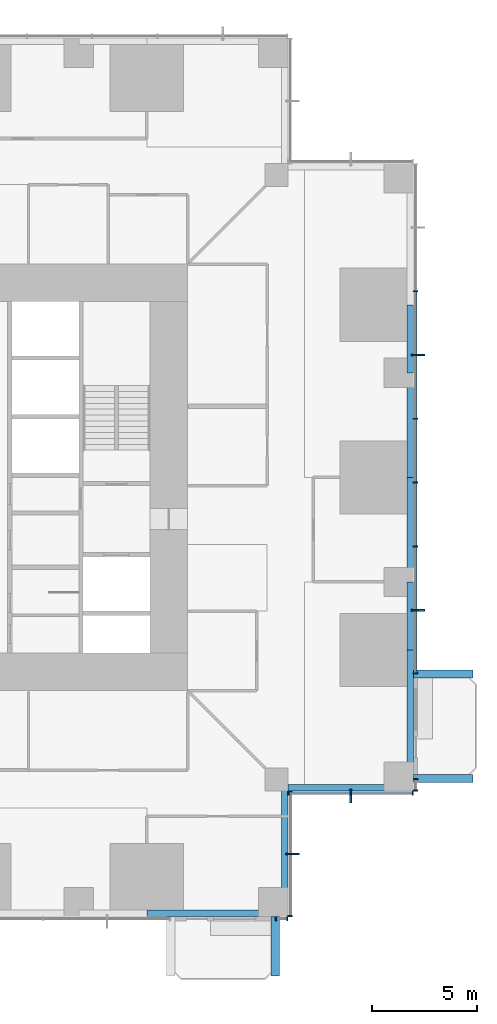
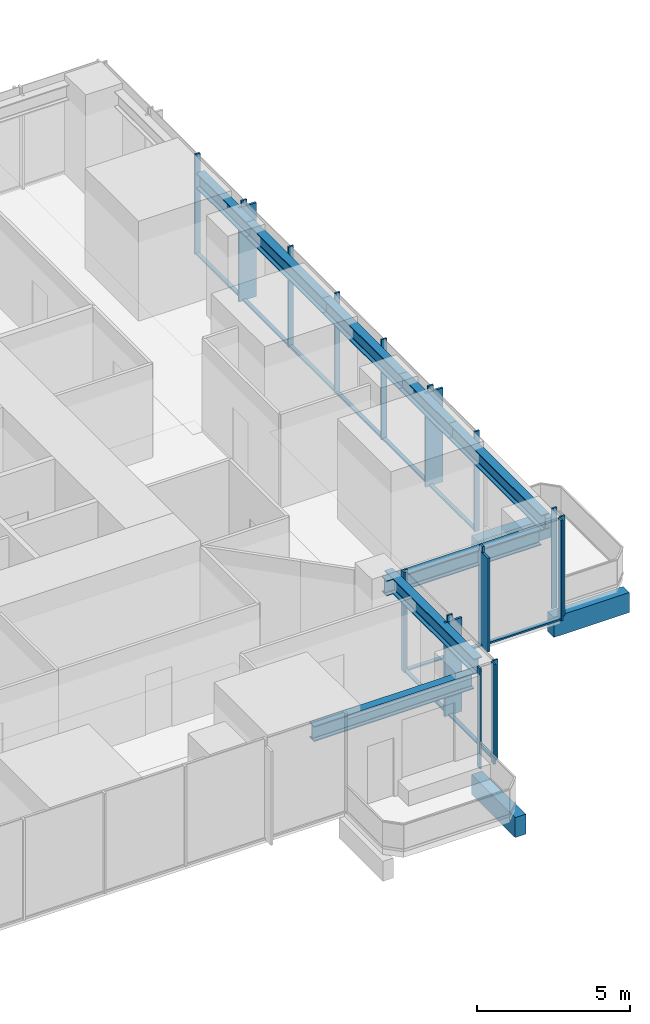
# One storey, part 4 of 15: 31 members, 11 beams, 5 elements without a shape of their own.
"""IFC4 building model written with IfcOpenShell, lengths in metres."""

from ifc_helpers import new_model, si_unit, direction, frame, origin, origin_2d, place, context, subcontext, project, spatial, rectangle, i_section, extrude, material, material_profile, profile_set, type_object, element, aggregate, save


model = new_model("IFC4")

# Units and contexts
model_context = context("Model", 3, precision=1e-05, world=origin(), true_north=direction((0.0, 1.0)))
body_context = subcontext(model_context, "Body", "Model", "MODEL_VIEW")
ifc_project = project(units=[si_unit("LENGTHUNIT", "METRE"), si_unit("AREAUNIT", "SQUARE_METRE"), si_unit("VOLUMEUNIT", "CUBIC_METRE"), si_unit("PLANEANGLEUNIT", "RADIAN"), si_unit("MASSUNIT", "GRAM", prefix="KILO")], contexts=[model_context])

# Site, building, storey
site_placement = place(None, origin())
site = spatial("IfcSite", under=ifc_project, at=site_placement, CompositionType="ELEMENT")
building_placement = place(site_placement, origin())
building = spatial("IfcBuilding", under=site, at=building_placement, Name="Svetlomir Tower", CompositionType="ELEMENT")
storey_placement = place(building_placement, frame((0.0, 0.0, 74.5)))
storey = spatial("IfcBuildingStorey", under=building, at=storey_placement, Name="L17", CompositionType="ELEMENT", Elevation=74.5)

# Beams
ifc_material_1 = material(Name="Concrete C60/75", Category="concrete")
ifc_material_profile_1 = material_profile(ifc_material_1, rectangle(XDim=0.39990234375, YDim=0.800048828125, at=origin_2d()), Name="RC 400x800")
ifc_profile_set_1 = profile_set([ifc_material_profile_1], Name="Concrete C60/75")
beam_type_1 = type_object("IfcBeamType", Name="BALCONY RIB RC 400x800", PredefinedType="BEAM", material=ifc_profile_set_1)
for number, where, z_axis, x_axis, name in (
    (1, (35.39990234375, 0.0, -0.64990234375), (0.0, -1.0, 0.0), (1.0, 0.0, 0.0), "Balcony rib S 2 L17"),
    (2, (42.0, 6.60009765625, -0.64990234375), (1.0, 0.0, 0.0), (0.0, 1.0, 0.0), "Balcony rib E 1 L17"),
    (3, (42.0, 11.60009765625, -0.64990234375), (1.0, 0.0, 0.0), (0.0, 1.0, 0.0), "Balcony rib E 2 L17"),
):
    element("IfcBeam", number, at=place(storey_placement, frame(where, z_axis=z_axis, x_axis=x_axis)), inside=storey, type_object=beam_type_1, Name=name, PredefinedType="BEAM", context=body_context, shape_type="SweptSolid", body=[
        extrude(rectangle(XDim=0.39990234375, YDim=0.800048828125, at=origin_2d()), origin(), (0.0, 0.0, 1.0), 2.85009765625),
    ])

# Curtain wall, member
ifc_material_2 = material(Name="Bronze anodised aluminium curtain wall", Category="aluminium")
curtain_wall_type = type_object("IfcCurtainWallType", Name="CURTAIN WALL CW1 TOWER OFFICE", PredefinedType="NOTDEFINED", material=ifc_material_2)
curtain_wall_1_placement = place(storey_placement, origin())
curtain_wall_1 = element("IfcCurtainWall", 4, at=curtain_wall_1_placement, inside=storey, type_object=curtain_wall_type, Name="Curtain wall CW1 L17", PredefinedType="NOTDEFINED")
ifc_material_3 = material(Name="Bronze anodised aluminium", Category="aluminium")
ifc_material_profile_2 = material_profile(ifc_material_3, rectangle(XDim=0.080078125, YDim=0.64990234375, at=origin_2d()), Name="FIN 80x650")
ifc_profile_set_2 = profile_set([ifc_material_profile_2], Name="Bronze anodised aluminium 6063-T6")
member_type_1 = type_object("IfcMemberType", Name="BRONZE FIN 80x650", PredefinedType="USERDEFINED", material=ifc_profile_set_2)
member_1_placement = place(storey_placement, frame((36.22509765625, 3.0, 0.0), z_axis=(0.0, 0.0, 1.0), x_axis=(0.0, 1.0, 0.0)))
member_1 = element("IfcMember", 5, at=member_1_placement, type_object=member_type_1, Name="Bronze fin L17", ObjectType="FIN", PredefinedType="USERDEFINED", context=body_context, shape_type="SweptSolid", body=[
    extrude(rectangle(XDim=0.080078125, YDim=0.64990234375, at=origin_2d()), origin(), (0.0, 0.0, 1.0), 3.75),
])

curtain_wall_2_placement = place(storey_placement, origin())
curtain_wall_2 = element("IfcCurtainWall", 6, at=curtain_wall_2_placement, inside=storey, type_object=curtain_wall_type, Name="Curtain wall CW1 L17", PredefinedType="NOTDEFINED")
member_2_placement = place(storey_placement, frame((39.0, 5.77490234375, 0.0), z_axis=(0.0, 0.0, 1.0), x_axis=(1.0, 0.0, 0.0)))
member_2 = element("IfcMember", 7, at=member_2_placement, type_object=member_type_1, Name="Bronze fin L17", ObjectType="FIN", PredefinedType="USERDEFINED", context=body_context, shape_type="SweptSolid", body=[
    extrude(rectangle(XDim=0.080078125, YDim=0.64990234375, at=origin_2d()), origin(), (0.0, 0.0, 1.0), 3.75),
])

# Curtain wall, members
curtain_wall_3_placement = place(storey_placement, origin())
curtain_wall_3 = element("IfcCurtainWall", 8, at=curtain_wall_3_placement, inside=storey, type_object=curtain_wall_type, Name="Curtain wall CW1 L17", PredefinedType="NOTDEFINED")
member_3_placement = place(storey_placement, frame((42.22509765625, 14.64990234375, 0.0), z_axis=(0.0, 0.0, 1.0), x_axis=(0.0, 1.0, 0.0)))
member_3 = element("IfcMember", 9, at=member_3_placement, type_object=member_type_1, Name="Bronze fin L17", ObjectType="FIN", PredefinedType="USERDEFINED", context=body_context, shape_type="SweptSolid", body=[
    extrude(rectangle(XDim=0.080078125, YDim=0.64990234375, at=origin_2d()), origin(), (0.0, 0.0, 1.0), 3.75),
])
member_4_placement = place(storey_placement, frame((42.22509765625, 26.85009765625, 0.0), z_axis=(0.0, 0.0, 1.0), x_axis=(0.0, 1.0, 0.0)))
member_4 = element("IfcMember", 10, at=member_4_placement, type_object=member_type_1, Name="Bronze fin L17", ObjectType="FIN", PredefinedType="USERDEFINED", context=body_context, shape_type="SweptSolid", body=[
    extrude(rectangle(XDim=0.080078125, YDim=0.64990234375, at=origin_2d()), origin(), (0.0, 0.0, 1.0), 3.75),
])

curtain_wall_4_placement = place(storey_placement, origin())
curtain_wall_4 = element("IfcCurtainWall", 11, at=curtain_wall_4_placement, inside=storey, type_object=curtain_wall_type, Name="Curtain wall CW1 L17", PredefinedType="NOTDEFINED")
ifc_material_4 = material(Name="Bronze anodised aluminium", Category="aluminium")
ifc_material_profile_3 = material_profile(ifc_material_4, rectangle(XDim=0.06494140625, YDim=0.199951171875, at=origin_2d()), Name="AL 65x200")
ifc_profile_set_3 = profile_set([ifc_material_profile_3], Name="Bronze anodised aluminium 6063-T6")
member_type_2 = type_object("IfcMemberType", Name="CW1 MULLION 65x200", PredefinedType="MULLION", material=ifc_profile_set_3)
member_5_placement = place(storey_placement, frame((35.4326171875, -0.10009765625, 0.0), z_axis=(0.0, 0.0, 1.0), x_axis=(1.0, 0.0, 0.0)))
member_5 = element("IfcMember", 12, at=member_5_placement, type_object=member_type_2, Name="CW1 mullion 1", PredefinedType="MULLION", context=body_context, shape_type="SweptSolid", body=[
    extrude(rectangle(XDim=0.06494140625, YDim=0.199951171875, at=origin_2d()), origin(), (0.0, 0.0, 1.0), 4.0),
])
member_6_placement = place(storey_placement, frame((35.967529296875, -0.10009765625, 0.0), z_axis=(0.0, 0.0, 1.0), x_axis=(1.0, 0.0, 0.0)))
member_6 = element("IfcMember", 13, at=member_6_placement, type_object=member_type_2, Name="CW1 mullion 2", PredefinedType="MULLION", context=body_context, shape_type="SweptSolid", body=[
    extrude(rectangle(XDim=0.06494140625, YDim=0.199951171875, at=origin_2d()), origin(), (0.0, 0.0, 1.0), 4.0),
])
aggregate(curtain_wall_4, [member_5, member_6])

# Member
member_7_placement = place(storey_placement, frame((36.10009765625, 0.032470703125, 0.0), z_axis=(0.0, 0.0, 1.0), x_axis=(0.0, 1.0, 0.0)))
member_7 = element("IfcMember", 14, at=member_7_placement, type_object=member_type_2, Name="CW1 mullion 1", PredefinedType="MULLION", context=body_context, shape_type="SweptSolid", body=[
    extrude(rectangle(XDim=0.06494140625, YDim=0.199951171875, at=origin_2d()), origin(), (0.0, 0.0, 1.0), 4.0),
])

member_8_placement = place(storey_placement, frame((36.10009765625, 3.0, 0.0), z_axis=(0.0, 0.0, 1.0), x_axis=(0.0, 1.0, 0.0)))
member_8 = element("IfcMember", 15, at=member_8_placement, type_object=member_type_2, Name="CW1 mullion 2", PredefinedType="MULLION", context=body_context, shape_type="SweptSolid", body=[
    extrude(rectangle(XDim=0.06494140625, YDim=0.199951171875, at=origin_2d()), origin(), (0.0, 0.0, 1.0), 4.0),
])

member_9_placement = place(storey_placement, frame((36.10009765625, 5.967529296875, 0.0), z_axis=(0.0, 0.0, 1.0), x_axis=(0.0, 1.0, 0.0)))
member_9 = element("IfcMember", 16, at=member_9_placement, type_object=member_type_2, Name="CW1 mullion 3", PredefinedType="MULLION", context=body_context, shape_type="SweptSolid", body=[
    extrude(rectangle(XDim=0.06494140625, YDim=0.199951171875, at=origin_2d()), origin(), (0.0, 0.0, 1.0), 4.0),
])

member_10_placement = place(storey_placement, frame((36.032470703125, 5.89990234375, 0.0), z_axis=(0.0, 0.0, 1.0), x_axis=(1.0, 0.0, 0.0)))
member_10 = element("IfcMember", 17, at=member_10_placement, type_object=member_type_2, Name="CW1 mullion 1", PredefinedType="MULLION", context=body_context, shape_type="SweptSolid", body=[
    extrude(rectangle(XDim=0.06494140625, YDim=0.199951171875, at=origin_2d()), origin(), (0.0, 0.0, 1.0), 4.0),
])

member_11_placement = place(storey_placement, frame((39.0, 5.89990234375, 0.0), z_axis=(0.0, 0.0, 1.0), x_axis=(1.0, 0.0, 0.0)))
member_11 = element("IfcMember", 18, at=member_11_placement, type_object=member_type_2, Name="CW1 mullion 2", PredefinedType="MULLION", context=body_context, shape_type="SweptSolid", body=[
    extrude(rectangle(XDim=0.06494140625, YDim=0.199951171875, at=origin_2d()), origin(), (0.0, 0.0, 1.0), 4.0),
])

member_12_placement = place(storey_placement, frame((41.967529296875, 5.89990234375, 0.0), z_axis=(0.0, 0.0, 1.0), x_axis=(1.0, 0.0, 0.0)))
member_12 = element("IfcMember", 19, at=member_12_placement, type_object=member_type_2, Name="CW1 mullion 3", PredefinedType="MULLION", context=body_context, shape_type="SweptSolid", body=[
    extrude(rectangle(XDim=0.06494140625, YDim=0.199951171875, at=origin_2d()), origin(), (0.0, 0.0, 1.0), 4.0),
])

# Curtain wall, members
curtain_wall_5_placement = place(storey_placement, origin())
curtain_wall_5 = element("IfcCurtainWall", 20, at=curtain_wall_5_placement, inside=storey, type_object=curtain_wall_type, Name="Curtain wall CW1 L17", PredefinedType="NOTDEFINED")
member_13_placement = place(storey_placement, frame((42.10009765625, 6.032470703125, 0.0), z_axis=(0.0, 0.0, 1.0), x_axis=(0.0, 1.0, 0.0)))
member_13 = element("IfcMember", 21, at=member_13_placement, type_object=member_type_2, Name="CW1 mullion 1", PredefinedType="MULLION", context=body_context, shape_type="SweptSolid", body=[
    extrude(rectangle(XDim=0.06494140625, YDim=0.199951171875, at=origin_2d()), origin(), (0.0, 0.0, 1.0), 4.0),
])
member_14_placement = place(storey_placement, frame((42.10009765625, 6.5673828125, 0.0), z_axis=(0.0, 0.0, 1.0), x_axis=(0.0, 1.0, 0.0)))
member_14 = element("IfcMember", 22, at=member_14_placement, type_object=member_type_2, Name="CW1 mullion 2", PredefinedType="MULLION", context=body_context, shape_type="SweptSolid", body=[
    extrude(rectangle(XDim=0.06494140625, YDim=0.199951171875, at=origin_2d()), origin(), (0.0, 0.0, 1.0), 4.0),
])
aggregate(curtain_wall_5, [member_13, member_14])

# Member
member_15_placement = place(storey_placement, frame((42.10009765625, 11.632568359375, 0.0), z_axis=(0.0, 0.0, 1.0), x_axis=(0.0, 1.0, 0.0)))
member_15 = element("IfcMember", 23, at=member_15_placement, type_object=member_type_2, Name="CW1 mullion 1", PredefinedType="MULLION", context=body_context, shape_type="SweptSolid", body=[
    extrude(rectangle(XDim=0.06494140625, YDim=0.199951171875, at=origin_2d()), origin(), (0.0, 0.0, 1.0), 4.0),
])

member_16_placement = place(storey_placement, frame((42.10009765625, 14.64990234375, 0.0), z_axis=(0.0, 0.0, 1.0), x_axis=(0.0, 1.0, 0.0)))
member_16 = element("IfcMember", 24, at=member_16_placement, type_object=member_type_2, Name="CW1 mullion 2", PredefinedType="MULLION", context=body_context, shape_type="SweptSolid", body=[
    extrude(rectangle(XDim=0.06494140625, YDim=0.199951171875, at=origin_2d()), origin(), (0.0, 0.0, 1.0), 4.0),
])

member_17_placement = place(storey_placement, frame((42.10009765625, 17.699951171875, 0.0), z_axis=(0.0, 0.0, 1.0), x_axis=(0.0, 1.0, 0.0)))
member_17 = element("IfcMember", 25, at=member_17_placement, type_object=member_type_2, Name="CW1 mullion 3", PredefinedType="MULLION", context=body_context, shape_type="SweptSolid", body=[
    extrude(rectangle(XDim=0.06494140625, YDim=0.199951171875, at=origin_2d()), origin(), (0.0, 0.0, 1.0), 4.0),
])

member_18_placement = place(storey_placement, frame((42.10009765625, 20.75, 0.0), z_axis=(0.0, 0.0, 1.0), x_axis=(0.0, 1.0, 0.0)))
member_18 = element("IfcMember", 26, at=member_18_placement, type_object=member_type_2, Name="CW1 mullion 4", PredefinedType="MULLION", context=body_context, shape_type="SweptSolid", body=[
    extrude(rectangle(XDim=0.06494140625, YDim=0.199951171875, at=origin_2d()), origin(), (0.0, 0.0, 1.0), 4.0),
])

member_19_placement = place(storey_placement, frame((42.10009765625, 23.800048828125, 0.0), z_axis=(0.0, 0.0, 1.0), x_axis=(0.0, 1.0, 0.0)))
member_19 = element("IfcMember", 27, at=member_19_placement, type_object=member_type_2, Name="CW1 mullion 5", PredefinedType="MULLION", context=body_context, shape_type="SweptSolid", body=[
    extrude(rectangle(XDim=0.06494140625, YDim=0.199951171875, at=origin_2d()), origin(), (0.0, 0.0, 1.0), 4.0),
])

member_20_placement = place(storey_placement, frame((42.10009765625, 26.85009765625, 0.0), z_axis=(0.0, 0.0, 1.0), x_axis=(0.0, 1.0, 0.0)))
member_20 = element("IfcMember", 28, at=member_20_placement, type_object=member_type_2, Name="CW1 mullion 6", PredefinedType="MULLION", context=body_context, shape_type="SweptSolid", body=[
    extrude(rectangle(XDim=0.06494140625, YDim=0.199951171875, at=origin_2d()), origin(), (0.0, 0.0, 1.0), 4.0),
])

member_21_placement = place(storey_placement, frame((42.10009765625, 29.89990234375, 0.0), z_axis=(0.0, 0.0, 1.0), x_axis=(0.0, 1.0, 0.0)))
member_21 = element("IfcMember", 29, at=member_21_placement, type_object=member_type_2, Name="CW1 mullion 7", PredefinedType="MULLION", context=body_context, shape_type="SweptSolid", body=[
    extrude(rectangle(XDim=0.06494140625, YDim=0.199951171875, at=origin_2d()), origin(), (0.0, 0.0, 1.0), 4.0),
])

ifc_material_5 = material(Name="Bronze anodised aluminium", Category="aluminium")
ifc_material_profile_4 = material_profile(ifc_material_5, rectangle(XDim=0.139892578125, YDim=0.06494140625, at=origin_2d()), Name="AL 140x65")
ifc_profile_set_4 = profile_set([ifc_material_profile_4], Name="Bronze anodised aluminium 6063-T6")
member_type_3 = type_object("IfcMemberType", Name="CW1 TRANSOM 65x140", PredefinedType="USERDEFINED", material=ifc_profile_set_4)
member_22_placement = place(storey_placement, frame((36.10009765625, 0.06494140625, 0.032470703125), z_axis=(0.0, 1.0, 0.0), x_axis=(-1.0, 0.0, 0.0)))
member_22 = element("IfcMember", 30, at=member_22_placement, type_object=member_type_3, Name="CW1 transom 1.1", ObjectType="TRANSOM", PredefinedType="USERDEFINED", context=body_context, shape_type="SweptSolid", body=[
    extrude(rectangle(XDim=0.139892578125, YDim=0.06494140625, at=origin_2d()), origin(), (0.0, 0.0, 1.0), 2.902587890625),
])

member_23_placement = place(storey_placement, frame((36.10009765625, 3.032470703125, 0.032470703125), z_axis=(0.0, 1.0, 0.0), x_axis=(-1.0, 0.0, 0.0)))
member_23 = element("IfcMember", 31, at=member_23_placement, type_object=member_type_3, Name="CW1 transom 2.1", ObjectType="TRANSOM", PredefinedType="USERDEFINED", context=body_context, shape_type="SweptSolid", body=[
    extrude(rectangle(XDim=0.139892578125, YDim=0.06494140625, at=origin_2d()), origin(), (0.0, 0.0, 1.0), 2.902587890625),
])

aggregate(curtain_wall_1, [member_7, member_8, member_9, member_22, member_23, member_1])

member_24_placement = place(storey_placement, frame((36.06494140625, 5.89990234375, 0.032470703125), z_axis=(1.0, 0.0, 0.0), x_axis=(0.0, 1.0, 0.0)))
member_24 = element("IfcMember", 32, at=member_24_placement, type_object=member_type_3, Name="CW1 transom 1.1", ObjectType="TRANSOM", PredefinedType="USERDEFINED", context=body_context, shape_type="SweptSolid", body=[
    extrude(rectangle(XDim=0.139892578125, YDim=0.06494140625, at=origin_2d()), origin(), (0.0, 0.0, 1.0), 2.902587890625),
])

member_25_placement = place(storey_placement, frame((39.032470703125, 5.89990234375, 0.032470703125), z_axis=(1.0, 0.0, 0.0), x_axis=(0.0, 1.0, 0.0)))
member_25 = element("IfcMember", 33, at=member_25_placement, type_object=member_type_3, Name="CW1 transom 2.1", ObjectType="TRANSOM", PredefinedType="USERDEFINED", context=body_context, shape_type="SweptSolid", body=[
    extrude(rectangle(XDim=0.139892578125, YDim=0.06494140625, at=origin_2d()), origin(), (0.0, 0.0, 1.0), 2.902587890625),
])

aggregate(curtain_wall_2, [member_10, member_11, member_12, member_24, member_25, member_2])

member_26_placement = place(storey_placement, frame((42.10009765625, 11.6650390625, 0.032470703125), z_axis=(0.0, 1.0, 0.0), x_axis=(-1.0, 0.0, 0.0)))
member_26 = element("IfcMember", 34, at=member_26_placement, type_object=member_type_3, Name="CW1 transom 1.1", ObjectType="TRANSOM", PredefinedType="USERDEFINED", context=body_context, shape_type="SweptSolid", body=[
    extrude(rectangle(XDim=0.139892578125, YDim=0.06494140625, at=origin_2d()), origin(), (0.0, 0.0, 1.0), 2.952392578125),
])

member_27_placement = place(storey_placement, frame((42.10009765625, 14.6826171875, 0.032470703125), z_axis=(0.0, 1.0, 0.0), x_axis=(-1.0, 0.0, 0.0)))
member_27 = element("IfcMember", 35, at=member_27_placement, type_object=member_type_3, Name="CW1 transom 2.1", ObjectType="TRANSOM", PredefinedType="USERDEFINED", context=body_context, shape_type="SweptSolid", body=[
    extrude(rectangle(XDim=0.139892578125, YDim=0.06494140625, at=origin_2d()), origin(), (0.0, 0.0, 1.0), 2.98486328125),
])

member_28_placement = place(storey_placement, frame((42.10009765625, 17.732421875, 0.032470703125), z_axis=(0.0, 1.0, 0.0), x_axis=(-1.0, 0.0, 0.0)))
member_28 = element("IfcMember", 36, at=member_28_placement, type_object=member_type_3, Name="CW1 transom 3.1", ObjectType="TRANSOM", PredefinedType="USERDEFINED", context=body_context, shape_type="SweptSolid", body=[
    extrude(rectangle(XDim=0.139892578125, YDim=0.06494140625, at=origin_2d()), origin(), (0.0, 0.0, 1.0), 2.985107421875),
])

member_29_placement = place(storey_placement, frame((42.10009765625, 20.782470703125, 0.032470703125), z_axis=(0.0, 1.0, 0.0), x_axis=(-1.0, 0.0, 0.0)))
member_29 = element("IfcMember", 37, at=member_29_placement, type_object=member_type_3, Name="CW1 transom 4.1", ObjectType="TRANSOM", PredefinedType="USERDEFINED", context=body_context, shape_type="SweptSolid", body=[
    extrude(rectangle(XDim=0.139892578125, YDim=0.06494140625, at=origin_2d()), origin(), (0.0, 0.0, 1.0), 2.985107421875),
])

member_30_placement = place(storey_placement, frame((42.10009765625, 23.83251953125, 0.032470703125), z_axis=(0.0, 1.0, 0.0), x_axis=(-1.0, 0.0, 0.0)))
member_30 = element("IfcMember", 38, at=member_30_placement, type_object=member_type_3, Name="CW1 transom 5.1", ObjectType="TRANSOM", PredefinedType="USERDEFINED", context=body_context, shape_type="SweptSolid", body=[
    extrude(rectangle(XDim=0.139892578125, YDim=0.06494140625, at=origin_2d()), origin(), (0.0, 0.0, 1.0), 2.98486328125),
])

member_31_placement = place(storey_placement, frame((42.10009765625, 26.882568359375, 0.032470703125), z_axis=(0.0, 1.0, 0.0), x_axis=(-1.0, 0.0, 0.0)))
member_31 = element("IfcMember", 39, at=member_31_placement, type_object=member_type_3, Name="CW1 transom 6.1", ObjectType="TRANSOM", PredefinedType="USERDEFINED", context=body_context, shape_type="SweptSolid", body=[
    extrude(rectangle(XDim=0.139892578125, YDim=0.06494140625, at=origin_2d()), origin(), (0.0, 0.0, 1.0), 2.98486328125),
])

aggregate(curtain_wall_3, [member_15, member_16, member_17, member_18, member_19, member_20, member_21, member_26, member_27, member_28, member_29, member_30, member_31, member_3, member_4])

# Beams
ifc_material_6 = material(Name="Steel S355", Category="steel")
ifc_material_profile_5 = material_profile(ifc_material_6, i_section(OverallWidth=0.304931640625, OverallDepth=0.6201171875, WebThickness=0.02099609375, FlangeThickness=0.0400390625, FilletRadius=0.027099609375, at=origin_2d()), Name="HEM 600")
ifc_profile_set_5 = profile_set([ifc_material_profile_5], Name="Steel S355")
beam_type_2 = type_object("IfcBeamType", Name="EDGE BEAM HEM 600", PredefinedType="SPANDREL", material=ifc_profile_set_5)
beam_1_placement = place(storey_placement, frame((41.847412109375, 6.699951171875, 3.43994140625), z_axis=(0.0, 1.0, 0.0), x_axis=(-1.0, 0.0, 0.0)))
element("IfcBeam", 40, at=beam_1_placement, inside=storey, type_object=beam_type_2, Name="Edge beam 42/6 to 42/11 under L18", PredefinedType="SPANDREL", context=body_context, shape_type="SweptSolid", body=[
    extrude(i_section(OverallWidth=0.304931640625, OverallDepth=0.6201171875, WebThickness=0.02099609375, FlangeThickness=0.0400390625, FilletRadius=0.027099609375, at=origin_2d()), origin(), (0.0, 0.0, 1.0), 6.050048828125),
])
beam_2_placement = place(storey_placement, frame((41.847412109375, 12.75, 3.43994140625), z_axis=(0.0, 1.0, 0.0), x_axis=(-1.0, 0.0, 0.0)))
element("IfcBeam", 41, at=beam_2_placement, inside=storey, type_object=beam_type_2, Name="Edge beam 42/11 to 42/16 under L18", PredefinedType="SPANDREL", context=body_context, shape_type="SweptSolid", body=[
    extrude(i_section(OverallWidth=0.304931640625, OverallDepth=0.6201171875, WebThickness=0.02099609375, FlangeThickness=0.0400390625, FilletRadius=0.027099609375, at=origin_2d()), origin(), (0.0, 0.0, 1.0), 3.25),
])
for number, where, z_axis, x_axis, name in (
    (42, (41.847412109375, 16.0, 3.43994140625), (0.0, 1.0, 0.0), (-1.0, 0.0, 0.0), "Edge beam 42/16 to 42/21 under L18"),
    (43, (41.847412109375, 21.0, 3.43994140625), (0.0, 1.0, 0.0), (-1.0, 0.0, 0.0), "Edge beam 42/21 to 42/26 under L18"),
):
    element("IfcBeam", number, at=place(storey_placement, frame(where, z_axis=z_axis, x_axis=x_axis)), inside=storey, type_object=beam_type_2, Name=name, PredefinedType="SPANDREL", context=body_context, shape_type="SweptSolid", body=[
        extrude(i_section(OverallWidth=0.304931640625, OverallDepth=0.6201171875, WebThickness=0.02099609375, FlangeThickness=0.0400390625, FilletRadius=0.027099609375, at=origin_2d()), origin(), (0.0, 0.0, 1.0), 5.0),
    ])
beam_3_placement = place(storey_placement, frame((41.847412109375, 26.0, 3.43994140625), z_axis=(0.0, 1.0, 0.0), x_axis=(-1.0, 0.0, 0.0)))
element("IfcBeam", 44, at=beam_3_placement, inside=storey, type_object=beam_type_2, Name="Edge beam 42/26 to 42/31 under L18", PredefinedType="SPANDREL", context=body_context, shape_type="SweptSolid", body=[
    extrude(i_section(OverallWidth=0.304931640625, OverallDepth=0.6201171875, WebThickness=0.02099609375, FlangeThickness=0.0400390625, FilletRadius=0.027099609375, at=origin_2d()), origin(), (0.0, 0.0, 1.0), 3.25),
])
beam_4_placement = place(storey_placement, frame((29.25, 0.152587890625, 3.43994140625), z_axis=(1.0, 0.0, 0.0), x_axis=(0.0, 1.0, 0.0)))
element("IfcBeam", 45, at=beam_4_placement, inside=storey, type_object=beam_type_2, Name="Edge beam 31/0 to 36/0 under L18", PredefinedType="SPANDREL", context=body_context, shape_type="SweptSolid", body=[
    extrude(i_section(OverallWidth=0.304931640625, OverallDepth=0.6201171875, WebThickness=0.02099609375, FlangeThickness=0.0400390625, FilletRadius=0.027099609375, at=origin_2d()), origin(), (0.0, 0.0, 1.0), 6.050048828125),
])
for number, where, z_axis, x_axis, name in (
    (46, (35.847412109375, 0.699951171875, 3.43994140625), (0.0, 1.0, 0.0), (-1.0, 0.0, 0.0), "Edge beam 36/0 to 36/6 under L18"),
    (47, (41.300048828125, 6.152587890625, 3.43994140625), (-1.0, 0.0, 0.0), (0.0, -1.0, 0.0), "Edge beam 42/6 to 36/6 under L18"),
):
    element("IfcBeam", number, at=place(storey_placement, frame(where, z_axis=z_axis, x_axis=x_axis)), inside=storey, type_object=beam_type_2, Name=name, PredefinedType="SPANDREL", context=body_context, shape_type="SweptSolid", body=[
        extrude(i_section(OverallWidth=0.304931640625, OverallDepth=0.6201171875, WebThickness=0.02099609375, FlangeThickness=0.0400390625, FilletRadius=0.027099609375, at=origin_2d()), origin(), (0.0, 0.0, 1.0), 5.85009765625),
    ])

save(model, "model.ifc")
